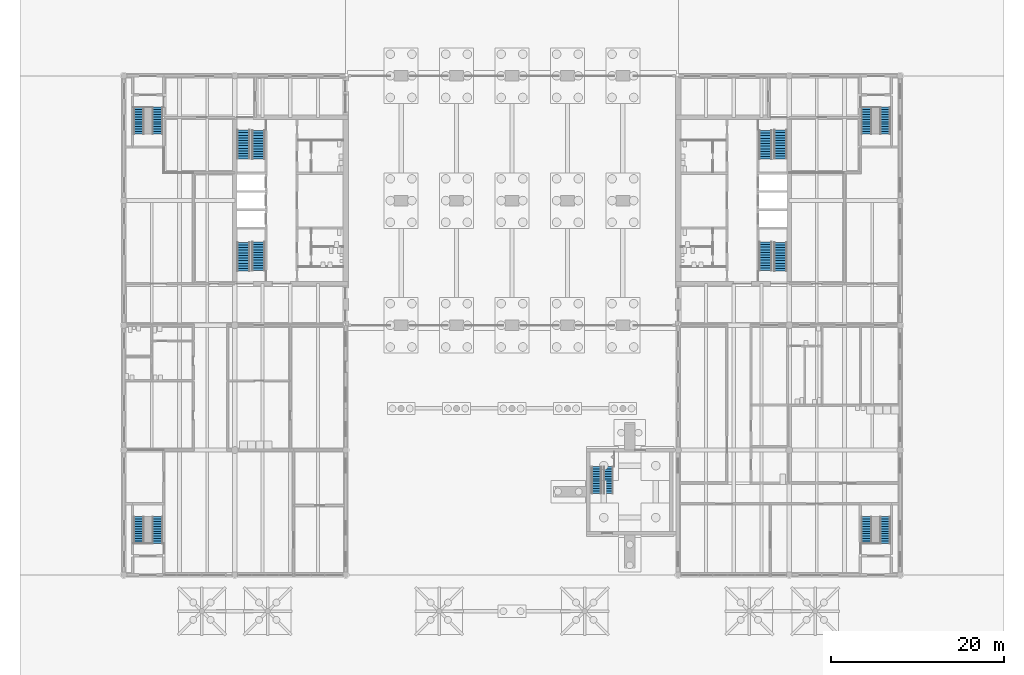
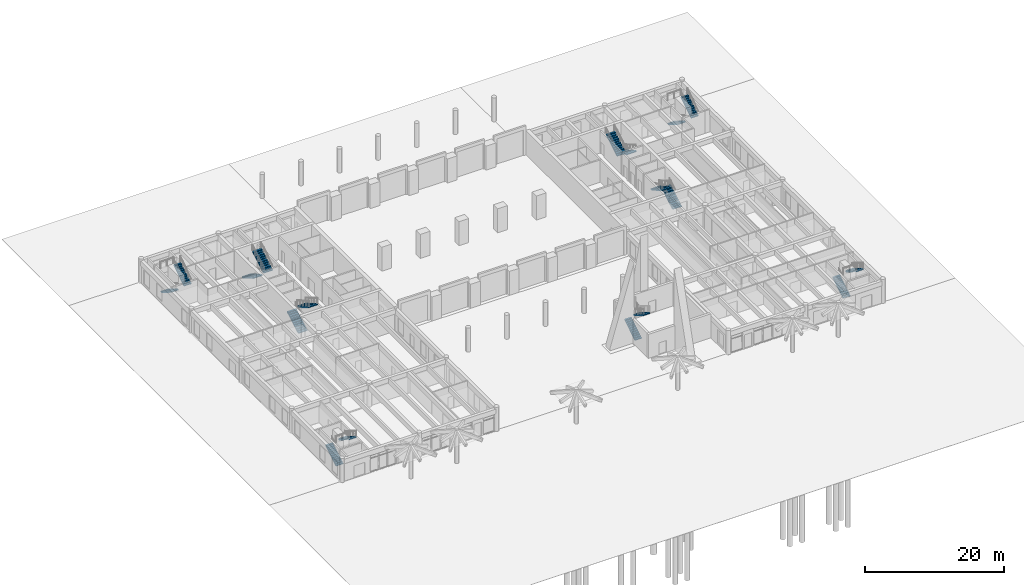
# One storey, part 22 of 28: 18 stair flights, 9 elements without a shape of their own.
"""IFC4 building model written with IfcOpenShell, lengths in metres."""

from ifc_helpers import new_model, si_unit, direction, frame, origin, place, context, subcontext, project, spatial, polyline, outline, extrude, material, type_object, element, aggregate, save


model = new_model("IFC4")

# Units and contexts
model_context = context("Model", 3, precision=1e-05, world=origin(), true_north=direction((0.0, 1.0)))
body_context = subcontext(model_context, "Body", "Model", "MODEL_VIEW")
ifc_project = project(units=[si_unit("LENGTHUNIT", "METRE"), si_unit("AREAUNIT", "SQUARE_METRE"), si_unit("VOLUMEUNIT", "CUBIC_METRE"), si_unit("PLANEANGLEUNIT", "RADIAN"), si_unit("MASSUNIT", "GRAM", prefix="KILO")], contexts=[model_context])

# Site, building, storey
site_placement = place(None, origin())
site = spatial("IfcSite", under=ifc_project, at=site_placement, CompositionType="ELEMENT")
building_placement = place(site_placement, origin())
building = spatial("IfcBuilding", under=site, at=building_placement, Name="Fogon Plaza Fire Station and Headquarters Tower", CompositionType="ELEMENT")
storey_placement = place(building_placement, origin())
storey = spatial("IfcBuildingStorey", under=building, at=storey_placement, Name="L00", CompositionType="ELEMENT", Elevation=0.0)

# Stair, stair flights
ifc_material_1 = material(Name="Concrete C40", Category="concrete")
stair_type_1 = type_object("IfcStairType", Name="Drill Stair 1100", PredefinedType="HALF_TURN_STAIR", material=ifc_material_1)
stair_1_placement = place(storey_placement, origin())
stair_1 = element("IfcStair", 1, at=stair_1_placement, inside=storey, type_object=stair_type_1, Name="DT1", PredefinedType="HALF_TURN_STAIR")
ifc_material_2 = material(Name="Concrete C40", Category="concrete")
stair_flight_type_1 = type_object("IfcStairFlightType", Name="Drill Stair Flight 1100", PredefinedType="STRAIGHT", material=ifc_material_2)
stair_flight_1_placement = place(storey_placement, frame((54.550048828125, 9.39990234375, 0.0), z_axis=(0.0, 0.0, 1.0), x_axis=(0.0, 1.0, 0.0)))
stair_flight_1 = element("IfcStairFlight", 2, at=stair_flight_1_placement, type_object=stair_flight_type_1, Name="DT1 flight 1", NumberOfRisers=12, NumberOfTreads=11, PredefinedType="STRAIGHT", RiserHeight=0.175, TreadLength=0.28, context=body_context, shape_type="SweptSolid", body=[
    extrude(outline(polyline([(0.0, 0.0), (0.0, 0.175048828125), (0.280029296875, 0.175048828125), (0.280029296875, 0.35009765625), (0.56005859375, 0.35009765625), (0.56005859375, 0.52490234375), (0.840087890625, 0.52490234375), (0.840087890625, 0.699951171875), (1.1201171875, 0.699951171875), (1.1201171875, 0.875), (1.39990234375, 0.875), (1.39990234375, 1.050048828125), (1.679931640625, 1.050048828125), (1.679931640625, 1.22509765625), (1.9599609375, 1.22509765625), (1.9599609375, 1.39990234375), (2.239990234375, 1.39990234375), (2.239990234375, 1.574951171875), (2.52001953125, 1.574951171875), (2.52001953125, 1.75), (2.800048828125, 1.75), (2.800048828125, 1.925048828125), (3.080078125, 1.925048828125), (3.080078125, 2.10009765625), (3.080078125, 1.748291015625), (0.28271484375, 0.0), (0.0, 0.0)])), frame((0.0, 0.550048828125, 0.0), z_axis=(0.0, -1.0, 0.0), x_axis=(1.0, 0.0, 0.0)), (0.0, 0.0, 1.0), 1.10009765625),
])
stair_flight_2_placement = place(storey_placement, frame((55.929931640625, 12.47998046875, 2.10009765625), z_axis=(0.0, 0.0, 1.0), x_axis=(0.0, -1.0, 0.0)))
stair_flight_2 = element("IfcStairFlight", 3, at=stair_flight_2_placement, type_object=stair_flight_type_1, Name="DT1 flight 2", NumberOfRisers=12, NumberOfTreads=11, PredefinedType="STRAIGHT", RiserHeight=0.175, TreadLength=0.28, context=body_context, shape_type="SweptSolid", body=[
    extrude(outline(polyline([(0.0, 0.0), (0.0, 0.175048828125), (0.280029296875, 0.175048828125), (0.280029296875, 0.35009765625), (0.56005859375, 0.35009765625), (0.56005859375, 0.52490234375), (0.840087890625, 0.52490234375), (0.840087890625, 0.699951171875), (1.1201171875, 0.699951171875), (1.1201171875, 0.875), (1.39990234375, 0.875), (1.39990234375, 1.050048828125), (1.679931640625, 1.050048828125), (1.679931640625, 1.22509765625), (1.9599609375, 1.22509765625), (1.9599609375, 1.39990234375), (2.239990234375, 1.39990234375), (2.239990234375, 1.574951171875), (2.52001953125, 1.574951171875), (2.52001953125, 1.75), (2.800048828125, 1.75), (2.800048828125, 1.925048828125), (3.080078125, 1.925048828125), (3.080078125, 2.10009765625), (3.080078125, 1.748291015625), (0.28271484375, 0.0), (0.0, 0.0)])), frame((0.0, 0.550048828125, 0.0), z_axis=(0.0, -1.0, 0.0), x_axis=(1.0, 0.0, 0.0)), (0.0, 0.0, 1.0), 1.10009765625),
])
aggregate(stair_1, [stair_flight_1, stair_flight_2])

ifc_material_3 = material(Name="Concrete C40", Category="concrete")
stair_type_2 = type_object("IfcStairType", Name="Exit Stair Two Flights", PredefinedType="TWO_STRAIGHT_RUN_STAIR", material=ifc_material_3)
stair_2_placement = place(storey_placement, origin())
stair_2 = element("IfcStair", 4, at=stair_2_placement, inside=storey, type_object=stair_type_2, Name="Stair ST1", PredefinedType="TWO_STRAIGHT_RUN_STAIR")
ifc_material_4 = material(Name="Concrete C40", Category="concrete")
stair_flight_type_2 = type_object("IfcStairFlightType", Name="Stair Flight 12 Risers", PredefinedType="STRAIGHT", material=ifc_material_4)
stair_flight_3_placement = place(storey_placement, frame((13.800048828125, 35.060791015625, 0.0), z_axis=(0.0, 0.0, 1.0), x_axis=(0.0, 1.0, 0.0)))
stair_flight_3 = element("IfcStairFlight", 5, at=stair_flight_3_placement, type_object=stair_flight_type_2, Name="ST1 flight F03", NumberOfRisers=12, NumberOfTreads=11, PredefinedType="STRAIGHT", RiserHeight=0.175, TreadLength=0.301363636, context=body_context, shape_type="SweptSolid", body=[
    extrude(outline(polyline([(0.0, 0.0), (0.0, 0.175048828125), (0.30126953125, 0.175048828125), (0.30126953125, 0.35009765625), (0.602783203125, 0.35009765625), (0.602783203125, 0.52490234375), (0.904052734375, 0.52490234375), (0.904052734375, 0.699951171875), (1.20556640625, 0.699951171875), (1.20556640625, 0.875), (1.5068359375, 0.875), (1.5068359375, 1.050048828125), (1.80810546875, 1.050048828125), (1.80810546875, 1.22509765625), (2.109619140625, 1.22509765625), (2.109619140625, 1.39990234375), (2.410888671875, 1.39990234375), (2.410888671875, 1.574951171875), (2.712158203125, 1.574951171875), (2.712158203125, 1.75), (3.013671875, 1.75), (3.013671875, 1.925048828125), (3.31494140625, 1.925048828125), (3.31494140625, 2.10009765625), (3.31494140625, 1.751708984375), (0.298583984375, 0.0), (0.0, 0.0)])), frame((0.0, 0.75, 0.0), z_axis=(0.0, -1.0, 0.0), x_axis=(1.0, 0.0, 0.0)), (0.0, 0.0, 1.0), 1.5),
])
stair_flight_4_placement = place(storey_placement, frame((15.52490234375, 38.42431640625, 2.10009765625), z_axis=(0.0, 0.0, 1.0), x_axis=(0.0, -1.0, 0.0)))
stair_flight_4 = element("IfcStairFlight", 6, at=stair_flight_4_placement, type_object=stair_flight_type_2, Name="ST1 flight F04", NumberOfRisers=12, NumberOfTreads=11, PredefinedType="STRAIGHT", RiserHeight=0.175, TreadLength=0.301363636, context=body_context, shape_type="SweptSolid", body=[
    extrude(outline(polyline([(0.0, 0.0), (0.0, 0.175048828125), (0.30126953125, 0.175048828125), (0.30126953125, 0.35009765625), (0.602783203125, 0.35009765625), (0.602783203125, 0.52490234375), (0.904052734375, 0.52490234375), (0.904052734375, 0.699951171875), (1.20556640625, 0.699951171875), (1.20556640625, 0.875), (1.5068359375, 0.875), (1.5068359375, 1.050048828125), (1.80810546875, 1.050048828125), (1.80810546875, 1.22509765625), (2.109619140625, 1.22509765625), (2.109619140625, 1.39990234375), (2.410888671875, 1.39990234375), (2.410888671875, 1.574951171875), (2.712158203125, 1.574951171875), (2.712158203125, 1.75), (3.013671875, 1.75), (3.013671875, 1.925048828125), (3.31494140625, 1.925048828125), (3.31494140625, 2.10009765625), (3.31494140625, 1.751708984375), (0.298583984375, 0.0), (0.0, 0.0)])), frame((0.0, 0.75, 0.0), z_axis=(0.0, -1.0, 0.0), x_axis=(1.0, 0.0, 0.0)), (0.0, 0.0, 1.0), 1.5),
])
aggregate(stair_2, [stair_flight_3, stair_flight_4])

stair_3_placement = place(storey_placement, origin())
stair_3 = element("IfcStair", 7, at=stair_3_placement, inside=storey, type_object=stair_type_2, Name="Stair ST2", PredefinedType="TWO_STRAIGHT_RUN_STAIR")
stair_flight_5_placement = place(storey_placement, frame((13.800048828125, 51.33935546875, 0.0), z_axis=(0.0, 0.0, 1.0), x_axis=(0.0, -1.0, 0.0)))
stair_flight_5 = element("IfcStairFlight", 8, at=stair_flight_5_placement, type_object=stair_flight_type_2, Name="ST2 flight F03", NumberOfRisers=12, NumberOfTreads=11, PredefinedType="STRAIGHT", RiserHeight=0.175, TreadLength=0.301363636, context=body_context, shape_type="SweptSolid", body=[
    extrude(outline(polyline([(0.0, 0.0), (0.0, 0.175048828125), (0.30126953125, 0.175048828125), (0.30126953125, 0.35009765625), (0.602783203125, 0.35009765625), (0.602783203125, 0.52490234375), (0.904052734375, 0.52490234375), (0.904052734375, 0.699951171875), (1.20556640625, 0.699951171875), (1.20556640625, 0.875), (1.5068359375, 0.875), (1.5068359375, 1.050048828125), (1.80810546875, 1.050048828125), (1.80810546875, 1.22509765625), (2.109619140625, 1.22509765625), (2.109619140625, 1.39990234375), (2.410888671875, 1.39990234375), (2.410888671875, 1.574951171875), (2.712158203125, 1.574951171875), (2.712158203125, 1.75), (3.013671875, 1.75), (3.013671875, 1.925048828125), (3.31494140625, 1.925048828125), (3.31494140625, 2.10009765625), (3.31494140625, 1.751708984375), (0.298583984375, 0.0), (0.0, 0.0)])), frame((0.0, 0.75, 0.0), z_axis=(0.0, -1.0, 0.0), x_axis=(1.0, 0.0, 0.0)), (0.0, 0.0, 1.0), 1.5),
])
stair_flight_6_placement = place(storey_placement, frame((15.52490234375, 47.975830078125, 2.10009765625), z_axis=(0.0, 0.0, 1.0), x_axis=(0.0, 1.0, 0.0)))
stair_flight_6 = element("IfcStairFlight", 9, at=stair_flight_6_placement, type_object=stair_flight_type_2, Name="ST2 flight F04", NumberOfRisers=12, NumberOfTreads=11, PredefinedType="STRAIGHT", RiserHeight=0.175, TreadLength=0.301363636, context=body_context, shape_type="SweptSolid", body=[
    extrude(outline(polyline([(0.0, 0.0), (0.0, 0.175048828125), (0.30126953125, 0.175048828125), (0.30126953125, 0.35009765625), (0.602783203125, 0.35009765625), (0.602783203125, 0.52490234375), (0.904052734375, 0.52490234375), (0.904052734375, 0.699951171875), (1.20556640625, 0.699951171875), (1.20556640625, 0.875), (1.5068359375, 0.875), (1.5068359375, 1.050048828125), (1.80810546875, 1.050048828125), (1.80810546875, 1.22509765625), (2.109619140625, 1.22509765625), (2.109619140625, 1.39990234375), (2.410888671875, 1.39990234375), (2.410888671875, 1.574951171875), (2.712158203125, 1.574951171875), (2.712158203125, 1.75), (3.013671875, 1.75), (3.013671875, 1.925048828125), (3.31494140625, 1.925048828125), (3.31494140625, 2.10009765625), (3.31494140625, 1.751708984375), (0.298583984375, 0.0), (0.0, 0.0)])), frame((0.0, 0.75, 0.0), z_axis=(0.0, -1.0, 0.0), x_axis=(1.0, 0.0, 0.0)), (0.0, 0.0, 1.0), 1.5),
])
aggregate(stair_3, [stair_flight_5, stair_flight_6])

stair_4_placement = place(storey_placement, origin())
stair_4 = element("IfcStair", 10, at=stair_4_placement, inside=storey, type_object=stair_type_2, Name="Stair ST3", PredefinedType="TWO_STRAIGHT_RUN_STAIR")
stair_flight_7_placement = place(storey_placement, frame((75.800048828125, 35.060791015625, 0.0), z_axis=(0.0, 0.0, 1.0), x_axis=(0.0, 1.0, 0.0)))
stair_flight_7 = element("IfcStairFlight", 11, at=stair_flight_7_placement, type_object=stair_flight_type_2, Name="ST3 flight F03", NumberOfRisers=12, NumberOfTreads=11, PredefinedType="STRAIGHT", RiserHeight=0.175, TreadLength=0.301363636, context=body_context, shape_type="SweptSolid", body=[
    extrude(outline(polyline([(0.0, 0.0), (0.0, 0.175048828125), (0.30126953125, 0.175048828125), (0.30126953125, 0.35009765625), (0.602783203125, 0.35009765625), (0.602783203125, 0.52490234375), (0.904052734375, 0.52490234375), (0.904052734375, 0.699951171875), (1.20556640625, 0.699951171875), (1.20556640625, 0.875), (1.5068359375, 0.875), (1.5068359375, 1.050048828125), (1.80810546875, 1.050048828125), (1.80810546875, 1.22509765625), (2.109619140625, 1.22509765625), (2.109619140625, 1.39990234375), (2.410888671875, 1.39990234375), (2.410888671875, 1.574951171875), (2.712158203125, 1.574951171875), (2.712158203125, 1.75), (3.013671875, 1.75), (3.013671875, 1.925048828125), (3.31494140625, 1.925048828125), (3.31494140625, 2.10009765625), (3.31494140625, 1.751708984375), (0.298583984375, 0.0), (0.0, 0.0)])), frame((0.0, 0.75, 0.0), z_axis=(0.0, -1.0, 0.0), x_axis=(1.0, 0.0, 0.0)), (0.0, 0.0, 1.0), 1.5),
])
stair_flight_8_placement = place(storey_placement, frame((74.074951171875, 38.42431640625, 2.10009765625), z_axis=(0.0, 0.0, 1.0), x_axis=(0.0, -1.0, 0.0)))
stair_flight_8 = element("IfcStairFlight", 12, at=stair_flight_8_placement, type_object=stair_flight_type_2, Name="ST3 flight F04", NumberOfRisers=12, NumberOfTreads=11, PredefinedType="STRAIGHT", RiserHeight=0.175, TreadLength=0.301363636, context=body_context, shape_type="SweptSolid", body=[
    extrude(outline(polyline([(0.0, 0.0), (0.0, 0.175048828125), (0.30126953125, 0.175048828125), (0.30126953125, 0.35009765625), (0.602783203125, 0.35009765625), (0.602783203125, 0.52490234375), (0.904052734375, 0.52490234375), (0.904052734375, 0.699951171875), (1.20556640625, 0.699951171875), (1.20556640625, 0.875), (1.5068359375, 0.875), (1.5068359375, 1.050048828125), (1.80810546875, 1.050048828125), (1.80810546875, 1.22509765625), (2.109619140625, 1.22509765625), (2.109619140625, 1.39990234375), (2.410888671875, 1.39990234375), (2.410888671875, 1.574951171875), (2.712158203125, 1.574951171875), (2.712158203125, 1.75), (3.013671875, 1.75), (3.013671875, 1.925048828125), (3.31494140625, 1.925048828125), (3.31494140625, 2.10009765625), (3.31494140625, 1.751708984375), (0.298583984375, 0.0), (0.0, 0.0)])), frame((0.0, 0.75, 0.0), z_axis=(0.0, -1.0, 0.0), x_axis=(1.0, 0.0, 0.0)), (0.0, 0.0, 1.0), 1.5),
])
aggregate(stair_4, [stair_flight_7, stair_flight_8])

stair_5_placement = place(storey_placement, origin())
stair_5 = element("IfcStair", 13, at=stair_5_placement, inside=storey, type_object=stair_type_2, Name="Stair ST4", PredefinedType="TWO_STRAIGHT_RUN_STAIR")
stair_flight_9_placement = place(storey_placement, frame((75.800048828125, 51.33935546875, 0.0), z_axis=(0.0, 0.0, 1.0), x_axis=(0.0, -1.0, 0.0)))
stair_flight_9 = element("IfcStairFlight", 14, at=stair_flight_9_placement, type_object=stair_flight_type_2, Name="ST4 flight F03", NumberOfRisers=12, NumberOfTreads=11, PredefinedType="STRAIGHT", RiserHeight=0.175, TreadLength=0.301363636, context=body_context, shape_type="SweptSolid", body=[
    extrude(outline(polyline([(0.0, 0.0), (0.0, 0.175048828125), (0.30126953125, 0.175048828125), (0.30126953125, 0.35009765625), (0.602783203125, 0.35009765625), (0.602783203125, 0.52490234375), (0.904052734375, 0.52490234375), (0.904052734375, 0.699951171875), (1.20556640625, 0.699951171875), (1.20556640625, 0.875), (1.5068359375, 0.875), (1.5068359375, 1.050048828125), (1.80810546875, 1.050048828125), (1.80810546875, 1.22509765625), (2.109619140625, 1.22509765625), (2.109619140625, 1.39990234375), (2.410888671875, 1.39990234375), (2.410888671875, 1.574951171875), (2.712158203125, 1.574951171875), (2.712158203125, 1.75), (3.013671875, 1.75), (3.013671875, 1.925048828125), (3.31494140625, 1.925048828125), (3.31494140625, 2.10009765625), (3.31494140625, 1.751708984375), (0.298583984375, 0.0), (0.0, 0.0)])), frame((0.0, 0.75, 0.0), z_axis=(0.0, -1.0, 0.0), x_axis=(1.0, 0.0, 0.0)), (0.0, 0.0, 1.0), 1.5),
])
stair_flight_10_placement = place(storey_placement, frame((74.074951171875, 47.975830078125, 2.10009765625), z_axis=(0.0, 0.0, 1.0), x_axis=(0.0, 1.0, 0.0)))
stair_flight_10 = element("IfcStairFlight", 15, at=stair_flight_10_placement, type_object=stair_flight_type_2, Name="ST4 flight F04", NumberOfRisers=12, NumberOfTreads=11, PredefinedType="STRAIGHT", RiserHeight=0.175, TreadLength=0.301363636, context=body_context, shape_type="SweptSolid", body=[
    extrude(outline(polyline([(0.0, 0.0), (0.0, 0.175048828125), (0.30126953125, 0.175048828125), (0.30126953125, 0.35009765625), (0.602783203125, 0.35009765625), (0.602783203125, 0.52490234375), (0.904052734375, 0.52490234375), (0.904052734375, 0.699951171875), (1.20556640625, 0.699951171875), (1.20556640625, 0.875), (1.5068359375, 0.875), (1.5068359375, 1.050048828125), (1.80810546875, 1.050048828125), (1.80810546875, 1.22509765625), (2.109619140625, 1.22509765625), (2.109619140625, 1.39990234375), (2.410888671875, 1.39990234375), (2.410888671875, 1.574951171875), (2.712158203125, 1.574951171875), (2.712158203125, 1.75), (3.013671875, 1.75), (3.013671875, 1.925048828125), (3.31494140625, 1.925048828125), (3.31494140625, 2.10009765625), (3.31494140625, 1.751708984375), (0.298583984375, 0.0), (0.0, 0.0)])), frame((0.0, 0.75, 0.0), z_axis=(0.0, -1.0, 0.0), x_axis=(1.0, 0.0, 0.0)), (0.0, 0.0, 1.0), 1.5),
])
aggregate(stair_5, [stair_flight_9, stair_flight_10])

ifc_material_5 = material(Name="Concrete C40", Category="concrete")
stair_type_3 = type_object("IfcStairType", Name="Wing Stair 1200", PredefinedType="HALF_TURN_STAIR", material=ifc_material_5)
stair_6_placement = place(storey_placement, origin())
stair_6 = element("IfcStair", 16, at=stair_6_placement, inside=storey, type_object=stair_type_3, Name="ST5", PredefinedType="HALF_TURN_STAIR")
ifc_material_6 = material(Name="Concrete C40", Category="concrete")
stair_flight_type_3 = type_object("IfcStairFlightType", Name="Wing Stair Flight 1200", PredefinedType="STRAIGHT", material=ifc_material_6)
stair_flight_11_placement = place(storey_placement, frame((1.72509765625, 53.97509765625, 0.0), z_axis=(0.0, 0.0, 1.0), x_axis=(0.0, -1.0, 0.0)))
stair_flight_11 = element("IfcStairFlight", 17, at=stair_flight_11_placement, type_object=stair_flight_type_3, Name="ST5 flight 1", NumberOfRisers=12, NumberOfTreads=11, PredefinedType="STRAIGHT", RiserHeight=0.175, TreadLength=0.28, context=body_context, shape_type="SweptSolid", body=[
    extrude(outline(polyline([(0.0, 0.0), (0.0, 0.175048828125), (0.280029296875, 0.175048828125), (0.280029296875, 0.35009765625), (0.56005859375, 0.35009765625), (0.56005859375, 0.52490234375), (0.840087890625, 0.52490234375), (0.840087890625, 0.699951171875), (1.1201171875, 0.699951171875), (1.1201171875, 0.875), (1.39990234375, 0.875), (1.39990234375, 1.050048828125), (1.679931640625, 1.050048828125), (1.679931640625, 1.22509765625), (1.9599609375, 1.22509765625), (1.9599609375, 1.39990234375), (2.239990234375, 1.39990234375), (2.239990234375, 1.574951171875), (2.52001953125, 1.574951171875), (2.52001953125, 1.75), (2.800048828125, 1.75), (2.800048828125, 1.925048828125), (3.080078125, 1.925048828125), (3.080078125, 2.10009765625), (3.080078125, 1.748291015625), (0.28271484375, 0.0), (0.0, 0.0)])), frame((0.0, 0.60009765625, 0.0), z_axis=(0.0, -1.0, 0.0), x_axis=(1.0, 0.0, 0.0)), (0.0, 0.0, 1.0), 1.199951171875),
])
stair_flight_12_placement = place(storey_placement, frame((3.875, 50.89501953125, 2.10009765625), z_axis=(0.0, 0.0, 1.0), x_axis=(0.0, 1.0, 0.0)))
stair_flight_12 = element("IfcStairFlight", 18, at=stair_flight_12_placement, type_object=stair_flight_type_3, Name="ST5 flight 2", NumberOfRisers=12, NumberOfTreads=11, PredefinedType="STRAIGHT", RiserHeight=0.175, TreadLength=0.28, context=body_context, shape_type="SweptSolid", body=[
    extrude(outline(polyline([(0.0, 0.0), (0.0, 0.175048828125), (0.280029296875, 0.175048828125), (0.280029296875, 0.35009765625), (0.56005859375, 0.35009765625), (0.56005859375, 0.52490234375), (0.840087890625, 0.52490234375), (0.840087890625, 0.699951171875), (1.1201171875, 0.699951171875), (1.1201171875, 0.875), (1.39990234375, 0.875), (1.39990234375, 1.050048828125), (1.679931640625, 1.050048828125), (1.679931640625, 1.22509765625), (1.9599609375, 1.22509765625), (1.9599609375, 1.39990234375), (2.239990234375, 1.39990234375), (2.239990234375, 1.574951171875), (2.52001953125, 1.574951171875), (2.52001953125, 1.75), (2.800048828125, 1.75), (2.800048828125, 1.925048828125), (3.080078125, 1.925048828125), (3.080078125, 2.10009765625), (3.080078125, 1.748291015625), (0.28271484375, 0.0), (0.0, 0.0)])), frame((0.0, 0.60009765625, 0.0), z_axis=(0.0, -1.0, 0.0), x_axis=(1.0, 0.0, 0.0)), (0.0, 0.0, 1.0), 1.199951171875),
])
aggregate(stair_6, [stair_flight_11, stair_flight_12])

stair_7_placement = place(storey_placement, origin())
stair_7 = element("IfcStair", 19, at=stair_7_placement, inside=storey, type_object=stair_type_3, Name="ST6", PredefinedType="HALF_TURN_STAIR")
stair_flight_13_placement = place(storey_placement, frame((1.72509765625, 3.625, 0.0), z_axis=(0.0, 0.0, 1.0), x_axis=(0.0, 1.0, 0.0)))
stair_flight_13 = element("IfcStairFlight", 20, at=stair_flight_13_placement, type_object=stair_flight_type_3, Name="ST6 flight 1", NumberOfRisers=12, NumberOfTreads=11, PredefinedType="STRAIGHT", RiserHeight=0.175, TreadLength=0.28, context=body_context, shape_type="SweptSolid", body=[
    extrude(outline(polyline([(0.0, 0.0), (0.0, 0.175048828125), (0.280029296875, 0.175048828125), (0.280029296875, 0.35009765625), (0.56005859375, 0.35009765625), (0.56005859375, 0.52490234375), (0.840087890625, 0.52490234375), (0.840087890625, 0.699951171875), (1.1201171875, 0.699951171875), (1.1201171875, 0.875), (1.39990234375, 0.875), (1.39990234375, 1.050048828125), (1.679931640625, 1.050048828125), (1.679931640625, 1.22509765625), (1.9599609375, 1.22509765625), (1.9599609375, 1.39990234375), (2.239990234375, 1.39990234375), (2.239990234375, 1.574951171875), (2.52001953125, 1.574951171875), (2.52001953125, 1.75), (2.800048828125, 1.75), (2.800048828125, 1.925048828125), (3.080078125, 1.925048828125), (3.080078125, 2.10009765625), (3.080078125, 1.748291015625), (0.28271484375, 0.0), (0.0, 0.0)])), frame((0.0, 0.60009765625, 0.0), z_axis=(0.0, -1.0, 0.0), x_axis=(1.0, 0.0, 0.0)), (0.0, 0.0, 1.0), 1.199951171875),
])
stair_flight_14_placement = place(storey_placement, frame((3.875, 6.705078125, 2.10009765625), z_axis=(0.0, 0.0, 1.0), x_axis=(0.0, -1.0, 0.0)))
stair_flight_14 = element("IfcStairFlight", 21, at=stair_flight_14_placement, type_object=stair_flight_type_3, Name="ST6 flight 2", NumberOfRisers=12, NumberOfTreads=11, PredefinedType="STRAIGHT", RiserHeight=0.175, TreadLength=0.28, context=body_context, shape_type="SweptSolid", body=[
    extrude(outline(polyline([(0.0, 0.0), (0.0, 0.175048828125), (0.280029296875, 0.175048828125), (0.280029296875, 0.35009765625), (0.56005859375, 0.35009765625), (0.56005859375, 0.52490234375), (0.840087890625, 0.52490234375), (0.840087890625, 0.699951171875), (1.1201171875, 0.699951171875), (1.1201171875, 0.875), (1.39990234375, 0.875), (1.39990234375, 1.050048828125), (1.679931640625, 1.050048828125), (1.679931640625, 1.22509765625), (1.9599609375, 1.22509765625), (1.9599609375, 1.39990234375), (2.239990234375, 1.39990234375), (2.239990234375, 1.574951171875), (2.52001953125, 1.574951171875), (2.52001953125, 1.75), (2.800048828125, 1.75), (2.800048828125, 1.925048828125), (3.080078125, 1.925048828125), (3.080078125, 2.10009765625), (3.080078125, 1.748291015625), (0.28271484375, 0.0), (0.0, 0.0)])), frame((0.0, 0.60009765625, 0.0), z_axis=(0.0, -1.0, 0.0), x_axis=(1.0, 0.0, 0.0)), (0.0, 0.0, 1.0), 1.199951171875),
])
aggregate(stair_7, [stair_flight_13, stair_flight_14])

stair_8_placement = place(storey_placement, origin())
stair_8 = element("IfcStair", 22, at=stair_8_placement, inside=storey, type_object=stair_type_3, Name="ST7", PredefinedType="HALF_TURN_STAIR")
stair_flight_15_placement = place(storey_placement, frame((85.72509765625, 53.97509765625, 0.0), z_axis=(0.0, 0.0, 1.0), x_axis=(0.0, -1.0, 0.0)))
stair_flight_15 = element("IfcStairFlight", 23, at=stair_flight_15_placement, type_object=stair_flight_type_3, Name="ST7 flight 1", NumberOfRisers=12, NumberOfTreads=11, PredefinedType="STRAIGHT", RiserHeight=0.175, TreadLength=0.28, context=body_context, shape_type="SweptSolid", body=[
    extrude(outline(polyline([(0.0, 0.0), (0.0, 0.175048828125), (0.280029296875, 0.175048828125), (0.280029296875, 0.35009765625), (0.56005859375, 0.35009765625), (0.56005859375, 0.52490234375), (0.840087890625, 0.52490234375), (0.840087890625, 0.699951171875), (1.1201171875, 0.699951171875), (1.1201171875, 0.875), (1.39990234375, 0.875), (1.39990234375, 1.050048828125), (1.679931640625, 1.050048828125), (1.679931640625, 1.22509765625), (1.9599609375, 1.22509765625), (1.9599609375, 1.39990234375), (2.239990234375, 1.39990234375), (2.239990234375, 1.574951171875), (2.52001953125, 1.574951171875), (2.52001953125, 1.75), (2.800048828125, 1.75), (2.800048828125, 1.925048828125), (3.080078125, 1.925048828125), (3.080078125, 2.10009765625), (3.080078125, 1.748291015625), (0.28271484375, 0.0), (0.0, 0.0)])), frame((0.0, 0.60009765625, 0.0), z_axis=(0.0, -1.0, 0.0), x_axis=(1.0, 0.0, 0.0)), (0.0, 0.0, 1.0), 1.199951171875),
])
stair_flight_16_placement = place(storey_placement, frame((87.875, 50.89501953125, 2.10009765625), z_axis=(0.0, 0.0, 1.0), x_axis=(0.0, 1.0, 0.0)))
stair_flight_16 = element("IfcStairFlight", 24, at=stair_flight_16_placement, type_object=stair_flight_type_3, Name="ST7 flight 2", NumberOfRisers=12, NumberOfTreads=11, PredefinedType="STRAIGHT", RiserHeight=0.175, TreadLength=0.28, context=body_context, shape_type="SweptSolid", body=[
    extrude(outline(polyline([(0.0, 0.0), (0.0, 0.175048828125), (0.280029296875, 0.175048828125), (0.280029296875, 0.35009765625), (0.56005859375, 0.35009765625), (0.56005859375, 0.52490234375), (0.840087890625, 0.52490234375), (0.840087890625, 0.699951171875), (1.1201171875, 0.699951171875), (1.1201171875, 0.875), (1.39990234375, 0.875), (1.39990234375, 1.050048828125), (1.679931640625, 1.050048828125), (1.679931640625, 1.22509765625), (1.9599609375, 1.22509765625), (1.9599609375, 1.39990234375), (2.239990234375, 1.39990234375), (2.239990234375, 1.574951171875), (2.52001953125, 1.574951171875), (2.52001953125, 1.75), (2.800048828125, 1.75), (2.800048828125, 1.925048828125), (3.080078125, 1.925048828125), (3.080078125, 2.10009765625), (3.080078125, 1.748291015625), (0.28271484375, 0.0), (0.0, 0.0)])), frame((0.0, 0.60009765625, 0.0), z_axis=(0.0, -1.0, 0.0), x_axis=(1.0, 0.0, 0.0)), (0.0, 0.0, 1.0), 1.199951171875),
])
aggregate(stair_8, [stair_flight_15, stair_flight_16])

stair_9_placement = place(storey_placement, origin())
stair_9 = element("IfcStair", 25, at=stair_9_placement, inside=storey, type_object=stair_type_3, Name="ST8", PredefinedType="HALF_TURN_STAIR")
stair_flight_17_placement = place(storey_placement, frame((85.72509765625, 3.625, 0.0), z_axis=(0.0, 0.0, 1.0), x_axis=(0.0, 1.0, 0.0)))
stair_flight_17 = element("IfcStairFlight", 26, at=stair_flight_17_placement, type_object=stair_flight_type_3, Name="ST8 flight 1", NumberOfRisers=12, NumberOfTreads=11, PredefinedType="STRAIGHT", RiserHeight=0.175, TreadLength=0.28, context=body_context, shape_type="SweptSolid", body=[
    extrude(outline(polyline([(0.0, 0.0), (0.0, 0.175048828125), (0.280029296875, 0.175048828125), (0.280029296875, 0.35009765625), (0.56005859375, 0.35009765625), (0.56005859375, 0.52490234375), (0.840087890625, 0.52490234375), (0.840087890625, 0.699951171875), (1.1201171875, 0.699951171875), (1.1201171875, 0.875), (1.39990234375, 0.875), (1.39990234375, 1.050048828125), (1.679931640625, 1.050048828125), (1.679931640625, 1.22509765625), (1.9599609375, 1.22509765625), (1.9599609375, 1.39990234375), (2.239990234375, 1.39990234375), (2.239990234375, 1.574951171875), (2.52001953125, 1.574951171875), (2.52001953125, 1.75), (2.800048828125, 1.75), (2.800048828125, 1.925048828125), (3.080078125, 1.925048828125), (3.080078125, 2.10009765625), (3.080078125, 1.748291015625), (0.28271484375, 0.0), (0.0, 0.0)])), frame((0.0, 0.60009765625, 0.0), z_axis=(0.0, -1.0, 0.0), x_axis=(1.0, 0.0, 0.0)), (0.0, 0.0, 1.0), 1.199951171875),
])
stair_flight_18_placement = place(storey_placement, frame((87.875, 6.705078125, 2.10009765625), z_axis=(0.0, 0.0, 1.0), x_axis=(0.0, -1.0, 0.0)))
stair_flight_18 = element("IfcStairFlight", 27, at=stair_flight_18_placement, type_object=stair_flight_type_3, Name="ST8 flight 2", NumberOfRisers=12, NumberOfTreads=11, PredefinedType="STRAIGHT", RiserHeight=0.175, TreadLength=0.28, context=body_context, shape_type="SweptSolid", body=[
    extrude(outline(polyline([(0.0, 0.0), (0.0, 0.175048828125), (0.280029296875, 0.175048828125), (0.280029296875, 0.35009765625), (0.56005859375, 0.35009765625), (0.56005859375, 0.52490234375), (0.840087890625, 0.52490234375), (0.840087890625, 0.699951171875), (1.1201171875, 0.699951171875), (1.1201171875, 0.875), (1.39990234375, 0.875), (1.39990234375, 1.050048828125), (1.679931640625, 1.050048828125), (1.679931640625, 1.22509765625), (1.9599609375, 1.22509765625), (1.9599609375, 1.39990234375), (2.239990234375, 1.39990234375), (2.239990234375, 1.574951171875), (2.52001953125, 1.574951171875), (2.52001953125, 1.75), (2.800048828125, 1.75), (2.800048828125, 1.925048828125), (3.080078125, 1.925048828125), (3.080078125, 2.10009765625), (3.080078125, 1.748291015625), (0.28271484375, 0.0), (0.0, 0.0)])), frame((0.0, 0.60009765625, 0.0), z_axis=(0.0, -1.0, 0.0), x_axis=(1.0, 0.0, 0.0)), (0.0, 0.0, 1.0), 1.199951171875),
])
aggregate(stair_9, [stair_flight_17, stair_flight_18])

save(model, "model.ifc")
